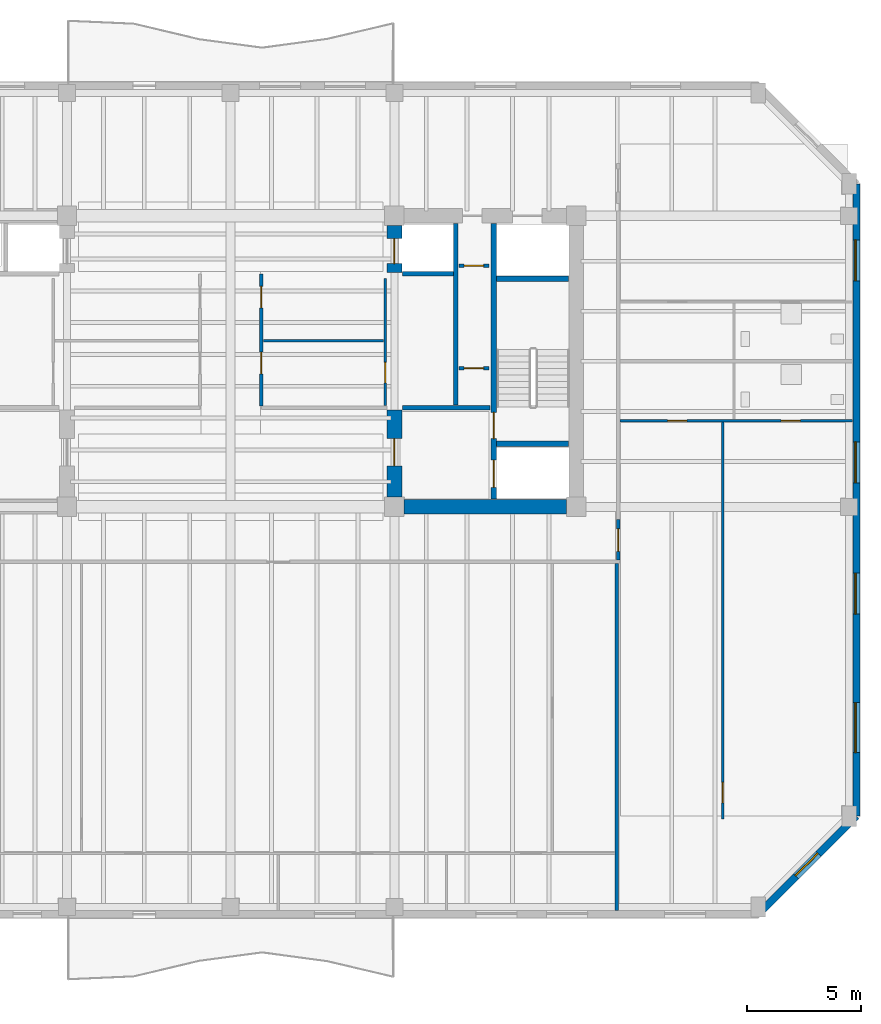
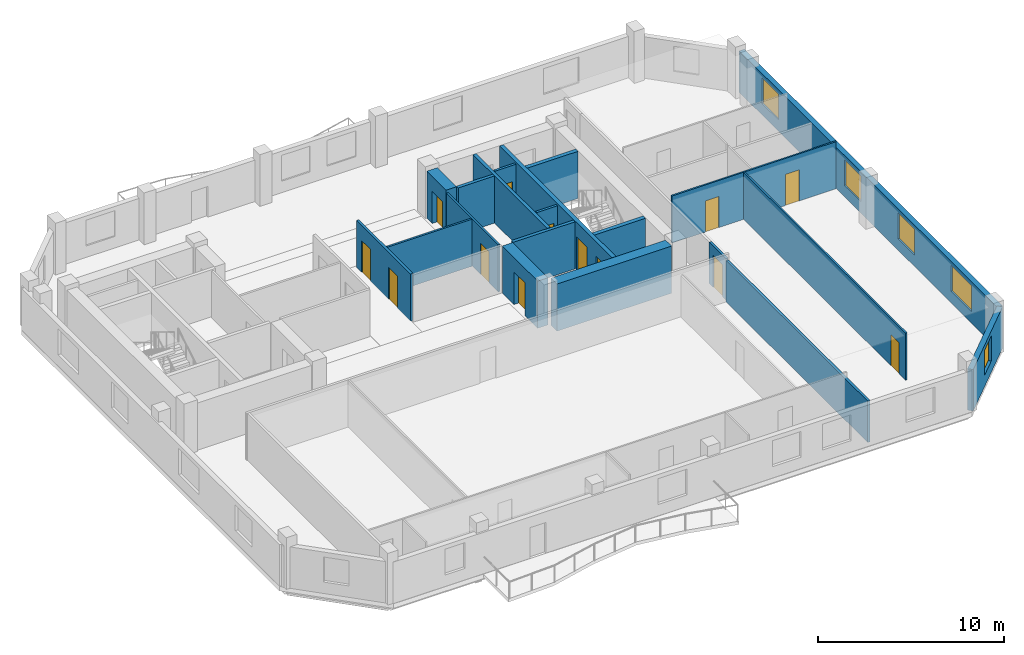
# One storey, part 4 of 9: 20 walls, 13 doors, 5 windows, 18 openings.
"""IFC4 building model written with IfcOpenShell, lengths in metres."""

from ifc_helpers import new_model, si_unit, direction, frame, frame_2d, origin, place, context, subcontext, project, spatial, rectangle, extrude, material, layer, layer_set, type_object, element, fill, save


model = new_model("IFC4")

# Units and contexts
model_context = context("Model", 3, precision=1e-05, world=origin(), true_north=direction((0.0, 1.0)))
body_context = subcontext(model_context, "Body", "Model", "MODEL_VIEW")
ifc_project = project(units=[si_unit("LENGTHUNIT", "METRE"), si_unit("AREAUNIT", "SQUARE_METRE"), si_unit("VOLUMEUNIT", "CUBIC_METRE"), si_unit("PLANEANGLEUNIT", "RADIAN"), si_unit("MASSUNIT", "GRAM", prefix="KILO")], contexts=[model_context])

# Site, building, storey
site_placement = place(None, origin())
site = spatial("IfcSite", under=ifc_project, at=site_placement, CompositionType="ELEMENT")
building_placement = place(site_placement, origin())
building = spatial("IfcBuilding", under=site, at=building_placement, Name="Kranthara Brick Stack", CompositionType="ELEMENT")
storey_placement = place(building_placement, frame((0.0, 0.0, 238.10009765625)))
storey = spatial("IfcBuildingStorey", under=building, at=storey_placement, Name="L62", CompositionType="ELEMENT", Elevation=238.10009765625)

# Wall, openings, windows
ifc_material_1 = material(Name="Warm buff clay brick masonry M15", Category="masonry")
ifc_layer_1 = layer(ifc_material_1, 0.320068359375)
ifc_layer_set_1 = layer_set([ifc_layer_1], Name="Warm buff clay brick masonry M15")
wall_type_1 = type_object("IfcWallType", Name="WL-BRK-UPPR-320", PredefinedType="STANDARD", material=ifc_layer_set_1)
wall_1_placement = place(storey_placement, frame((55.52001953125, 35.0, 0.0), z_axis=(0.0, 0.0, 1.0), x_axis=(0.0, -1.0, 0.0)))
wall_1 = element("IfcWall", 1, at=wall_1_placement, inside=storey, type_object=wall_type_1, Name="L62 Exterior Brick Facade Wall EAST 1", PredefinedType="STANDARD", context=body_context, shape_type="SweptSolid", body=[
    extrude(rectangle(XDim=27.800048828125, YDim=0.320068359375, at=frame_2d((13.89990234375, 0.0))), origin(), (0.0, 0.0, 1.0), 2.724853515625),
])
opening_1_placement = place(wall_1_placement, frame((2.4580078125, 0.0, 0.75)))
opening_1 = element("IfcOpeningElement", 2, at=opening_1_placement, cuts=wall_1, Name="Opening WN07", PredefinedType="OPENING", context=body_context, shape_type="SweptSolid", body=[
    extrude(rectangle(XDim=1.800048828125, YDim=1.699951171875, at=frame_2d((0.89990234375, 0.85009765625))), frame((0.0, 0.169921875, 0.0), z_axis=(0.0, -1.0, 0.0), x_axis=(1.0, 0.0, 0.0)), (0.0, 0.0, 1.0), 0.340087890625),
])
opening_2_placement = place(wall_1_placement, frame((11.342041015625, 0.0, 0.75)))
opening_2 = element("IfcOpeningElement", 3, at=opening_2_placement, cuts=wall_1, Name="Opening WN07", PredefinedType="OPENING", context=body_context, shape_type="SweptSolid", body=[
    extrude(rectangle(XDim=1.800048828125, YDim=1.699951171875, at=frame_2d((0.89990234375, 0.85009765625))), frame((0.0, 0.169921875, 0.0), z_axis=(0.0, -1.0, 0.0), x_axis=(1.0, 0.0, 0.0)), (0.0, 0.0, 1.0), 0.340087890625),
])
opening_3_placement = place(wall_1_placement, frame((17.116943359375, 0.0, 0.75)))
opening_3 = element("IfcOpeningElement", 4, at=opening_3_placement, cuts=wall_1, Name="Opening WN07", PredefinedType="OPENING", context=body_context, shape_type="SweptSolid", body=[
    extrude(rectangle(XDim=1.800048828125, YDim=1.699951171875, at=frame_2d((0.89990234375, 0.85009765625))), frame((0.0, 0.169921875, 0.0), z_axis=(0.0, -1.0, 0.0), x_axis=(1.0, 0.0, 0.0)), (0.0, 0.0, 1.0), 0.340087890625),
])
opening_4_placement = place(wall_1_placement, frame((22.80810546875, 0.0, 0.75)))
opening_4 = element("IfcOpeningElement", 5, at=opening_4_placement, cuts=wall_1, Name="Opening WN08", PredefinedType="OPENING", context=body_context, shape_type="SweptSolid", body=[
    extrude(rectangle(XDim=2.199951171875, YDim=1.699951171875, at=frame_2d((1.10009765625, 0.85009765625))), frame((0.0, 0.169921875, 0.0), z_axis=(0.0, -1.0, 0.0), x_axis=(1.0, 0.0, 0.0)), (0.0, 0.0, 1.0), 0.340087890625),
])
ifc_material_2 = material(Name="Double-glazed low-E solar control glass", Category="glass")
window_type_1 = type_object("IfcWindowType", Name="WN-RES-1800x1850", PartitioningType="DOUBLE_PANEL_VERTICAL", PredefinedType="WINDOW", material=ifc_material_2)
window_1_placement = place(opening_1_placement, origin())
window_1 = element("IfcWindow", 6, at=window_1_placement, inside=storey, type_object=window_type_1, Name="L62 East Deep-Set Brick Window 01", OverallHeight=1.699951171875, OverallWidth=1.800048828125, PartitioningType="SINGLE_PANEL", PredefinedType="WINDOW", context=body_context, shape_type="SweptSolid", body=[
    extrude(rectangle(XDim=1.800048828125, YDim=1.699951171875, at=frame_2d((0.89990234375, 0.85009765625))), frame((0.0, -0.010009765625, 0.0), z_axis=(0.0, -1.0, 0.0), x_axis=(1.0, 0.0, 0.0)), (0.0, 0.0, 1.0), 0.06005859375),
])
fill(opening_1, window_1)
window_2_placement = place(opening_2_placement, origin())
window_2 = element("IfcWindow", 7, at=window_2_placement, inside=storey, type_object=window_type_1, Name="L62 East Deep-Set Brick Window 02", OverallHeight=1.699951171875, OverallWidth=1.800048828125, PartitioningType="SINGLE_PANEL", PredefinedType="WINDOW", context=body_context, shape_type="SweptSolid", body=[
    extrude(rectangle(XDim=1.800048828125, YDim=1.699951171875, at=frame_2d((0.89990234375, 0.85009765625))), frame((0.0, -0.010009765625, 0.0), z_axis=(0.0, -1.0, 0.0), x_axis=(1.0, 0.0, 0.0)), (0.0, 0.0, 1.0), 0.06005859375),
])
fill(opening_2, window_2)
window_3_placement = place(opening_3_placement, origin())
window_3 = element("IfcWindow", 8, at=window_3_placement, inside=storey, type_object=window_type_1, Name="L62 East Deep-Set Brick Window 03", OverallHeight=1.699951171875, OverallWidth=1.800048828125, PartitioningType="SINGLE_PANEL", PredefinedType="WINDOW", context=body_context, shape_type="SweptSolid", body=[
    extrude(rectangle(XDim=1.800048828125, YDim=1.699951171875, at=frame_2d((0.89990234375, 0.85009765625))), frame((0.0, -0.010009765625, 0.0), z_axis=(0.0, -1.0, 0.0), x_axis=(1.0, 0.0, 0.0)), (0.0, 0.0, 1.0), 0.06005859375),
])
fill(opening_3, window_3)
ifc_material_3 = material(Name="Double-glazed low-E solar control glass", Category="glass")
window_type_2 = type_object("IfcWindowType", Name="WN-RES-2200x1850", PartitioningType="TRIPLE_PANEL_VERTICAL", PredefinedType="WINDOW", material=ifc_material_3)
window_4_placement = place(opening_4_placement, origin())
window_4 = element("IfcWindow", 9, at=window_4_placement, inside=storey, type_object=window_type_2, Name="L62 East Deep-Set Brick Window 04", OverallHeight=1.699951171875, OverallWidth=2.199951171875, PartitioningType="SINGLE_PANEL", PredefinedType="WINDOW", context=body_context, shape_type="SweptSolid", body=[
    extrude(rectangle(XDim=2.199951171875, YDim=1.699951171875, at=frame_2d((1.10009765625, 0.85009765625))), frame((0.0, -0.010009765625, 0.0), z_axis=(0.0, -1.0, 0.0), x_axis=(1.0, 0.0, 0.0)), (0.0, 0.0, 1.0), 0.06005859375),
])
fill(opening_4, window_4)

# Wall, opening, window
wall_2_placement = place(storey_placement, frame((55.52001953125, 7.199951171875, 0.0), z_axis=(0.0, 0.0, 1.0), x_axis=(-0.707106781187, -0.707106781187, 0.0)))
wall_2 = element("IfcWall", 10, at=wall_2_placement, inside=storey, type_object=wall_type_1, Name="L62 Exterior Brick Facade Wall SE 1", PredefinedType="STANDARD", context=body_context, shape_type="SweptSolid", body=[
    extrude(rectangle(XDim=6.109619140625, YDim=0.320068359375, at=frame_2d((3.0546875, 0.0))), origin(), (0.0, 0.0, 1.0), 2.724853515625),
])
opening_5_placement = place(wall_2_placement, frame((2.35498046875, 0.0, 0.75)))
opening_5 = element("IfcOpeningElement", 11, at=opening_5_placement, cuts=wall_2, Name="Opening WN10", PredefinedType="OPENING", context=body_context, shape_type="SweptSolid", body=[
    extrude(rectangle(XDim=1.39990234375, YDim=1.64990234375, at=frame_2d((0.699951171875, 0.824951171875))), frame((0.0, 0.169921875, 0.0), z_axis=(0.0, -1.0, 0.0), x_axis=(1.0, 0.0, 0.0)), (0.0, 0.0, 1.0), 0.340087890625),
])
ifc_material_4 = material(Name="Double-glazed low-E solar control glass", Category="glass")
window_type_3 = type_object("IfcWindowType", Name="WN-CHM-1400x1750", PartitioningType="SINGLE_PANEL", PredefinedType="WINDOW", material=ifc_material_4)
window_5_placement = place(opening_5_placement, origin())
window_5 = element("IfcWindow", 12, at=window_5_placement, inside=storey, type_object=window_type_3, Name="L62 SE Chamfer Corner Window", OverallHeight=1.64990234375, OverallWidth=1.39990234375, PartitioningType="SINGLE_PANEL", PredefinedType="WINDOW", context=body_context, shape_type="SweptSolid", body=[
    extrude(rectangle(XDim=1.39990234375, YDim=1.64990234375, at=frame_2d((0.699951171875, 0.824951171875))), frame((0.0, -0.010009765625, 0.0), z_axis=(0.0, -1.0, 0.0), x_axis=(1.0, 0.0, 0.0)), (0.0, 0.0, 1.0), 0.06005859375),
])
fill(opening_5, window_5)

# Wall, openings, doors
ifc_material_5 = material(Name="Concrete C50/60", Category="concrete")
ifc_layer_2 = layer(ifc_material_5, 0.25)
ifc_layer_set_2 = layer_set([ifc_layer_2], Name="Concrete C50/60")
wall_type_2 = type_object("IfcWallType", Name="WL-CORE-250", PredefinedType="SHEAR", material=ifc_layer_set_2)
wall_3_placement = place(storey_placement, frame((39.56494140625, 21.135009765625, 0.0), z_axis=(0.0, 0.0, 1.0), x_axis=(0.0, 1.0, 0.0)))
wall_3 = element("IfcWall", 13, at=wall_3_placement, inside=storey, type_object=wall_type_2, Name="L62 East Core Stair Bearing Spine Wall", PredefinedType="SHEAR", context=body_context, shape_type="SweptSolid", body=[
    extrude(rectangle(XDim=12.1298828125, YDim=0.25, at=frame_2d((6.06494140625, 0.0))), origin(), (0.0, 0.0, 1.0), 3.099853515625),
])
opening_6_placement = place(wall_3_placement, frame((0.514892578125, 0.0, 0.0)))
opening_6 = element("IfcOpeningElement", 14, at=opening_6_placement, cuts=wall_3, Name="Opening LD01", PredefinedType="OPENING", context=body_context, shape_type="SweptSolid", body=[
    extrude(rectangle(XDim=1.199951171875, YDim=2.14990234375, at=frame_2d((0.60009765625, 1.074951171875))), frame((0.0, 0.135009765625, 0.0), z_axis=(0.0, -1.0, 0.0), x_axis=(1.0, 0.0, 0.0)), (0.0, 0.0, 1.0), 0.27001953125),
])
opening_7_placement = place(wall_3_placement, frame((2.6650390625, 0.0, 0.0)))
opening_7 = element("IfcOpeningElement", 15, at=opening_7_placement, cuts=wall_3, Name="Opening D05", PredefinedType="OPENING", context=body_context, shape_type="SweptSolid", body=[
    extrude(rectangle(XDim=1.14990234375, YDim=2.14990234375, at=frame_2d((0.574951171875, 1.074951171875))), frame((0.0, 0.135009765625, 0.0), z_axis=(0.0, -1.0, 0.0), x_axis=(1.0, 0.0, 0.0)), (0.0, 0.0, 1.0), 0.27001953125),
])
ifc_material_6 = material(Name="Stainless steel sliding landing door", Category="steel")
door_type_1 = type_object("IfcDoorType", Name="DR-LD-FF1200", OperationType="DOUBLE_DOOR_SLIDING", PredefinedType="DOOR", material=ifc_material_6)
door_1_placement = place(opening_6_placement, origin())
door_1 = element("IfcDoor", 16, at=door_1_placement, inside=storey, type_object=door_type_1, Name="L62 Firefighting Lift FF-02 Landing Door", OperationType="DOUBLE_DOOR_SLIDING", OverallHeight=2.14990234375, OverallWidth=1.199951171875, PredefinedType="DOOR", context=body_context, shape_type="SweptSolid", body=[
    extrude(rectangle(XDim=1.199951171875, YDim=2.14990234375, at=frame_2d((0.60009765625, 1.074951171875))), frame((0.0, 0.02490234375, 0.0), z_axis=(0.0, -1.0, 0.0), x_axis=(1.0, 0.0, 0.0)), (0.0, 0.0, 1.0), 0.050048828125),
])
fill(opening_6, door_1)
ifc_material_7 = material(Name="Solid-core hardwood timber leaf in steel frame", Category="steel")
door_type_2 = type_object("IfcDoorType", Name="DR-ST-1150", OperationType="NOTDEFINED", PredefinedType="DOOR", material=ifc_material_7)
door_2_placement = place(opening_7_placement, origin())
door_2 = element("IfcDoor", 17, at=door_2_placement, inside=storey, type_object=door_type_2, Name="L62 Exit Stair ST02 Door", OperationType="SINGLE_SWING_LEFT", OverallHeight=2.14990234375, OverallWidth=1.14990234375, PredefinedType="DOOR", context=body_context, shape_type="SweptSolid", body=[
    extrude(rectangle(XDim=1.14990234375, YDim=2.14990234375, at=frame_2d((0.574951171875, 1.074951171875))), frame((0.0, 0.02490234375, 0.0), z_axis=(0.0, -1.0, 0.0), x_axis=(1.0, 0.0, 0.0)), (0.0, 0.0, 1.0), 0.050048828125),
])
fill(opening_7, door_2)

# Walls
for number, where, z_axis, x_axis, name in (
    (18, (39.68994140625, 23.570068359375, 0.0), (0.0, 0.0, 1.0), (1.0, 0.0, 0.0), "L62 East Stairwell Bearing Wall EFF"),
    (19, (39.68994140625, 30.830078125, 0.0), (0.0, 0.0, 1.0), (1.0, 0.0, 0.0), "L62 East Stairwell Bearing Wall EST"),
):
    element("IfcWall", number, at=place(storey_placement, frame(where, z_axis=z_axis, x_axis=x_axis)), inside=storey, type_object=wall_type_2, Name=name, PredefinedType="SHEAR", context=body_context, shape_type="SweptSolid", body=[
        extrude(rectangle(XDim=3.175048828125, YDim=0.25, at=frame_2d((1.58740234375, 0.0))), origin(), (0.0, 0.0, 1.0), 3.099853515625),
    ])
ifc_material_8 = material(Name="Concrete C60/75", Category="concrete")
ifc_layer_3 = layer(ifc_material_8, 0.64990234375)
ifc_layer_set_3 = layer_set([ifc_layer_3], Name="Concrete C60/75")
wall_type_3 = type_object("IfcWallType", Name="WL-CORE-650", PredefinedType="SHEAR", material=ifc_layer_set_3)
wall_4_placement = place(storey_placement, frame((35.6298828125, 20.800048828125, 0.0), z_axis=(0.0, 0.0, 1.0), x_axis=(1.0, 0.0, 0.0)))
element("IfcWall", 20, at=wall_4_placement, inside=storey, type_object=wall_type_3, Name="L62 East Core Shear Wall South", PredefinedType="SHEAR", context=body_context, shape_type="SweptSolid", body=[
    extrude(rectangle(XDim=7.14013671875, YDim=0.64990234375, at=frame_2d((3.570068359375, 0.0))), origin(), (0.0, 0.0, 1.0), 3.099853515625),
])

# Wall, opening, door
wall_5_placement = place(storey_placement, frame((35.199951171875, 21.22998046875, 0.0), z_axis=(0.0, 0.0, 1.0), x_axis=(0.0, 1.0, 0.0)))
wall_5 = element("IfcWall", 21, at=wall_5_placement, inside=storey, type_object=wall_type_3, Name="L62 East Core Lobby Shear Wall", PredefinedType="SHEAR", context=body_context, shape_type="SweptSolid", body=[
    extrude(rectangle(XDim=3.820068359375, YDim=0.64990234375, at=frame_2d((1.91015625, 0.0))), origin(), (0.0, 0.0, 1.0), 3.099853515625),
])
opening_8_placement = place(wall_5_placement, frame((1.3701171875, 0.0, 0.0)))
opening_8 = element("IfcOpeningElement", 22, at=opening_8_placement, cuts=wall_5, Name="Opening D06", PredefinedType="OPENING", context=body_context, shape_type="SweptSolid", body=[
    extrude(rectangle(XDim=1.199951171875, YDim=2.14990234375, at=frame_2d((0.60009765625, 1.074951171875))), frame((0.0, 0.3349609375, 0.0), z_axis=(0.0, -1.0, 0.0), x_axis=(1.0, 0.0, 0.0)), (0.0, 0.0, 1.0), 0.669921875),
])
ifc_material_9 = material(Name="Solid-core hardwood timber leaf in steel frame", Category="steel")
door_type_3 = type_object("IfcDoorType", Name="DR-FFL-1200", OperationType="NOTDEFINED", PredefinedType="DOOR", material=ifc_material_9)
door_3_placement = place(opening_8_placement, origin())
door_3 = element("IfcDoor", 23, at=door_3_placement, inside=storey, type_object=door_type_3, Name="L62 East Firefighting Lobby Door", OperationType="SINGLE_SWING_RIGHT", OverallHeight=2.14990234375, OverallWidth=1.199951171875, PredefinedType="DOOR", context=body_context, shape_type="SweptSolid", body=[
    extrude(rectangle(XDim=1.199951171875, YDim=2.14990234375, at=frame_2d((0.60009765625, 1.074951171875))), frame((0.0, 0.02490234375, 0.0), z_axis=(0.0, -1.0, 0.0), x_axis=(1.0, 0.0, 0.0)), (0.0, 0.0, 1.0), 0.050048828125),
])
fill(opening_8, door_3)

wall_6_placement = place(storey_placement, frame((35.199951171875, 31.10009765625, 0.0), z_axis=(0.0, 0.0, 1.0), x_axis=(0.0, 1.0, 0.0)))
wall_6 = element("IfcWall", 24, at=wall_6_placement, inside=storey, type_object=wall_type_3, Name="L62 East Core High-Rise Lift Wall", PredefinedType="SHEAR", context=body_context, shape_type="SweptSolid", body=[
    extrude(rectangle(XDim=2.06982421875, YDim=0.64990234375, at=frame_2d((1.034912109375, 0.0))), origin(), (0.0, 0.0, 1.0), 3.099853515625),
])
opening_9_placement = place(wall_6_placement, frame((0.39990234375, 0.0, 0.0)))
opening_9 = element("IfcOpeningElement", 25, at=opening_9_placement, cuts=wall_6, Name="Opening LD02", PredefinedType="OPENING", context=body_context, shape_type="SweptSolid", body=[
    extrude(rectangle(XDim=1.10009765625, YDim=2.10009765625, at=frame_2d((0.550048828125, 1.050048828125))), frame((0.0, 0.3349609375, 0.0), z_axis=(0.0, -1.0, 0.0), x_axis=(1.0, 0.0, 0.0)), (0.0, 0.0, 1.0), 0.669921875),
])
ifc_material_10 = material(Name="Stainless steel sliding landing door", Category="steel")
door_type_4 = type_object("IfcDoorType", Name="DR-LD-PL1100", OperationType="DOUBLE_DOOR_SLIDING", PredefinedType="DOOR", material=ifc_material_10)
door_4_placement = place(opening_9_placement, origin())
door_4 = element("IfcDoor", 26, at=door_4_placement, inside=storey, type_object=door_type_4, Name="L62 PL-08 Lift Landing Door", OperationType="DOUBLE_DOOR_SLIDING", OverallHeight=2.10009765625, OverallWidth=1.10009765625, PredefinedType="DOOR", context=body_context, shape_type="SweptSolid", body=[
    extrude(rectangle(XDim=1.10009765625, YDim=2.10009765625, at=frame_2d((0.550048828125, 1.050048828125))), frame((0.0, 0.02490234375, 0.0), z_axis=(0.0, -1.0, 0.0), x_axis=(1.0, 0.0, 0.0)), (0.0, 0.0, 1.0), 0.050048828125),
])
fill(opening_9, door_4)

# Wall, openings, doors
ifc_material_11 = material(Name="Moisture-resistant wet-room partition", Category="other")
ifc_layer_4 = layer(ifc_material_11, 0.10009765625)
ifc_layer_set_4 = layer_set([ifc_layer_4], Name="Moisture-resistant wet-room partition")
wall_type_4 = type_object("IfcWallType", Name="WL-PART-100", PredefinedType="PARTITIONING", material=ifc_layer_set_4)
wall_7_placement = place(storey_placement, frame((45.1298828125, 24.590087890625, 0.0), z_axis=(0.0, 0.0, 1.0), x_axis=(1.0, 0.0, 0.0)))
wall_7 = element("IfcWall", 27, at=wall_7_placement, inside=storey, type_object=wall_type_4, Name="L62 Interior Partition 027", PredefinedType="PARTITIONING", context=body_context, shape_type="SweptSolid", body=[
    extrude(rectangle(XDim=10.22509765625, YDim=0.10009765625, at=frame_2d((5.112548828125, 0.0))), origin(), (0.0, 0.0, 1.0), 3.099853515625),
])
opening_10_placement = place(wall_7_placement, frame((2.0830078125, 0.0, 0.0)))
opening_10 = element("IfcOpeningElement", 28, at=opening_10_placement, cuts=wall_7, Name="Opening D16", PredefinedType="OPENING", context=body_context, shape_type="SweptSolid", body=[
    extrude(rectangle(XDim=0.85009765625, YDim=2.050048828125, at=frame_2d((0.425048828125, 1.02490234375))), frame((0.0, 0.06005859375, 0.0), z_axis=(0.0, -1.0, 0.0), x_axis=(1.0, 0.0, 0.0)), (0.0, 0.0, 1.0), 0.1201171875),
])
opening_11_placement = place(wall_7_placement, frame((7.077880859375, 0.0, 0.0)))
opening_11 = element("IfcOpeningElement", 29, at=opening_11_placement, cuts=wall_7, Name="Opening D17", PredefinedType="OPENING", context=body_context, shape_type="SweptSolid", body=[
    extrude(rectangle(XDim=0.85009765625, YDim=2.050048828125, at=frame_2d((0.425048828125, 1.02490234375))), frame((0.0, 0.06005859375, 0.0), z_axis=(0.0, -1.0, 0.0), x_axis=(1.0, 0.0, 0.0)), (0.0, 0.0, 1.0), 0.1201171875),
])
ifc_material_12 = material(Name="Solid-core hardwood timber leaf in steel frame", Category="steel")
door_type_5 = type_object("IfcDoorType", Name="DR-INT-850", OperationType="NOTDEFINED", PredefinedType="DOOR", material=ifc_material_12)
door_5_placement = place(opening_10_placement, origin())
door_5 = element("IfcDoor", 30, at=door_5_placement, inside=storey, type_object=door_type_5, Name="L62 Unit L62B Kitchen 19", OperationType="SINGLE_SWING_LEFT", OverallHeight=2.050048828125, OverallWidth=0.85009765625, PredefinedType="DOOR", context=body_context, shape_type="SweptSolid", body=[
    extrude(rectangle(XDim=0.85009765625, YDim=2.050048828125, at=frame_2d((0.425048828125, 1.02490234375))), frame((0.0, 0.02490234375, 0.0), z_axis=(0.0, -1.0, 0.0), x_axis=(1.0, 0.0, 0.0)), (0.0, 0.0, 1.0), 0.050048828125),
])
fill(opening_10, door_5)
ifc_material_13 = material(Name="Solid-core hardwood timber leaf in steel frame", Category="steel")
door_type_6 = type_object("IfcDoorType", Name="DR-WET-850", OperationType="NOTDEFINED", PredefinedType="DOOR", material=ifc_material_13)
door_6_placement = place(opening_11_placement, origin())
door_6 = element("IfcDoor", 31, at=door_6_placement, inside=storey, type_object=door_type_6, Name="L62 Unit L62B Bathroom 20", OperationType="SINGLE_SWING_RIGHT", OverallHeight=2.050048828125, OverallWidth=0.85009765625, PredefinedType="DOOR", context=body_context, shape_type="SweptSolid", body=[
    extrude(rectangle(XDim=0.85009765625, YDim=2.050048828125, at=frame_2d((0.425048828125, 1.02490234375))), frame((0.0, 0.02490234375, 0.0), z_axis=(0.0, -1.0, 0.0), x_axis=(1.0, 0.0, 0.0)), (0.0, 0.0, 1.0), 0.050048828125),
])
fill(opening_11, door_6)

# Wall, opening, door
wall_8_placement = place(storey_placement, frame((49.64599609375, 7.080078125, 0.0), z_axis=(0.0, 0.0, 1.0), x_axis=(0.0, 1.0, 0.0)))
wall_8 = element("IfcWall", 32, at=wall_8_placement, inside=storey, type_object=wall_type_4, Name="L62 Interior Partition 028", PredefinedType="PARTITIONING", context=body_context, shape_type="SweptSolid", body=[
    extrude(rectangle(XDim=17.454833984375, YDim=0.10009765625, at=frame_2d((8.7275390625, 0.0))), origin(), (0.0, 0.0, 1.0), 3.099853515625),
])
opening_12_placement = place(wall_8_placement, frame((0.699951171875, 0.0, 0.0)))
opening_12 = element("IfcOpeningElement", 33, at=opening_12_placement, cuts=wall_8, Name="Opening D15", PredefinedType="OPENING", context=body_context, shape_type="SweptSolid", body=[
    extrude(rectangle(XDim=0.89990234375, YDim=2.050048828125, at=frame_2d((0.449951171875, 1.02490234375))), frame((0.0, 0.06005859375, 0.0), z_axis=(0.0, -1.0, 0.0), x_axis=(1.0, 0.0, 0.0)), (0.0, 0.0, 1.0), 0.1201171875),
])
ifc_material_14 = material(Name="Solid-core hardwood timber leaf in steel frame", Category="steel")
door_type_7 = type_object("IfcDoorType", Name="DR-INT-900", OperationType="NOTDEFINED", PredefinedType="DOOR", material=ifc_material_14)
door_7_placement = place(opening_12_placement, origin())
door_7 = element("IfcDoor", 34, at=door_7_placement, inside=storey, type_object=door_type_7, Name="L62 Unit L62B Study 18", OperationType="SINGLE_SWING_RIGHT", OverallHeight=2.050048828125, OverallWidth=0.89990234375, PredefinedType="DOOR", context=body_context, shape_type="SweptSolid", body=[
    extrude(rectangle(XDim=0.89990234375, YDim=2.050048828125, at=frame_2d((0.449951171875, 1.02490234375))), frame((0.0, 0.02490234375, 0.0), z_axis=(0.0, -1.0, 0.0), x_axis=(1.0, 0.0, 0.0)), (0.0, 0.0, 1.0), 0.050048828125),
])
fill(opening_12, door_7)

ifc_material_15 = material(Name="Acoustic gypsum plasterboard partition", Category="other")
ifc_layer_5 = layer(ifc_material_15, 0.1201171875)
ifc_layer_set_5 = layer_set([ifc_layer_5], Name="Acoustic gypsum plasterboard partition")
wall_type_5 = type_object("IfcWallType", Name="WL-PART-120", PredefinedType="PARTITIONING", material=ifc_layer_set_5)
wall_9_placement = place(storey_placement, frame((34.800048828125, 25.25, 0.0), z_axis=(0.0, 0.0, 1.0), x_axis=(0.0, 1.0, 0.0)))
wall_9 = element("IfcWall", 35, at=wall_9_placement, inside=storey, type_object=wall_type_5, Name="L62 Interior Partition 010", PredefinedType="PARTITIONING", context=body_context, shape_type="SweptSolid", body=[
    extrude(rectangle(XDim=5.60009765625, YDim=0.1201171875, at=frame_2d((2.800048828125, 0.0))), origin(), (0.0, 0.0, 1.0), 3.099853515625),
])
opening_13_placement = place(wall_9_placement, frame((1.0, 0.0, 0.0)))
opening_13 = element("IfcOpeningElement", 36, at=opening_13_placement, cuts=wall_9, Name="Opening D15", PredefinedType="OPENING", context=body_context, shape_type="SweptSolid", body=[
    extrude(rectangle(XDim=0.89990234375, YDim=2.050048828125, at=frame_2d((0.449951171875, 1.02490234375))), frame((0.0, 0.070068359375, 0.0), z_axis=(0.0, -1.0, 0.0), x_axis=(1.0, 0.0, 0.0)), (0.0, 0.0, 1.0), 0.14013671875),
])
door_8_placement = place(opening_13_placement, origin())
door_8 = element("IfcDoor", 37, at=door_8_placement, inside=storey, type_object=door_type_7, Name="L62 Yoga Studio Door 07", OperationType="SINGLE_SWING_LEFT", OverallHeight=2.050048828125, OverallWidth=0.89990234375, PredefinedType="DOOR", context=body_context, shape_type="SweptSolid", body=[
    extrude(rectangle(XDim=0.89990234375, YDim=2.050048828125, at=frame_2d((0.449951171875, 1.02490234375))), frame((0.0, 0.02490234375, 0.0), z_axis=(0.0, -1.0, 0.0), x_axis=(1.0, 0.0, 0.0)), (0.0, 0.0, 1.0), 0.050048828125),
])
fill(opening_13, door_8)

# Wall
wall_10_placement = place(storey_placement, frame((29.449951171875, 28.10009765625, 0.0), z_axis=(0.0, 0.0, 1.0), x_axis=(1.0, 0.0, 0.0)))
element("IfcWall", 38, at=wall_10_placement, inside=storey, type_object=wall_type_5, Name="L62 Interior Partition 011", PredefinedType="PARTITIONING", context=body_context, shape_type="SweptSolid", body=[
    extrude(rectangle(XDim=5.27001953125, YDim=0.1201171875, at=frame_2d((2.635009765625, 0.0))), origin(), (0.0, 0.0, 1.0), 3.099853515625),
])

# Wall, opening, door
ifc_material_16 = material(Name="Fire-rated gypsum board partition", Category="other")
ifc_layer_6 = layer(ifc_material_16, 0.14990234375)
ifc_layer_set_6 = layer_set([ifc_layer_6], Name="Fire-rated gypsum board partition")
wall_type_6 = type_object("IfcWallType", Name="WL-PART-150", PredefinedType="PARTITIONING", material=ifc_layer_set_6)
wall_11_placement = place(storey_placement, frame((38.050048828125, 26.89990234375, 0.0), z_axis=(0.0, 0.0, 1.0), x_axis=(1.0, 0.0, 0.0)))
wall_11 = element("IfcWall", 39, at=wall_11_placement, inside=storey, type_object=wall_type_6, Name="L62 Interior Partition 002", PredefinedType="PARTITIONING", context=body_context, shape_type="SweptSolid", body=[
    extrude(rectangle(XDim=1.300048828125, YDim=0.14990234375, at=frame_2d((0.64990234375, 0.0))), origin(), (0.0, 0.0, 1.0), 3.099853515625),
])
opening_14_placement = place(wall_11_placement, frame((0.219970703125, 0.0, 0.0)))
opening_14 = element("IfcOpeningElement", 40, at=opening_14_placement, cuts=wall_11, Name="Opening D10", PredefinedType="OPENING", context=body_context, shape_type="SweptSolid", body=[
    extrude(rectangle(XDim=0.85009765625, YDim=2.02001953125, at=frame_2d((0.425048828125, 1.010009765625))), frame((0.0, 0.0849609375, 0.0), z_axis=(0.0, -1.0, 0.0), x_axis=(1.0, 0.0, 0.0)), (0.0, 0.0, 1.0), 0.169921875),
])
ifc_material_17 = material(Name="Solid-core hardwood timber leaf in steel frame", Category="steel")
door_type_8 = type_object("IfcDoorType", Name="DR-RSR-850", OperationType="NOTDEFINED", PredefinedType="DOOR", material=ifc_material_17)
door_9_placement = place(opening_14_placement, origin())
door_9 = element("IfcDoor", 41, at=door_9_placement, inside=storey, type_object=door_type_8, Name="L62 East Valve Door 02", OperationType="SINGLE_SWING_RIGHT", OverallHeight=2.02001953125, OverallWidth=0.85009765625, PredefinedType="DOOR", context=body_context, shape_type="SweptSolid", body=[
    extrude(rectangle(XDim=0.85009765625, YDim=2.02001953125, at=frame_2d((0.425048828125, 1.010009765625))), frame((0.0, 0.02490234375, 0.0), z_axis=(0.0, -1.0, 0.0), x_axis=(1.0, 0.0, 0.0)), (0.0, 0.0, 1.0), 0.050048828125),
])
fill(opening_14, door_9)

wall_12_placement = place(storey_placement, frame((38.050048828125, 31.39990234375, 0.0), z_axis=(0.0, 0.0, 1.0), x_axis=(1.0, 0.0, 0.0)))
wall_12 = element("IfcWall", 42, at=wall_12_placement, inside=storey, type_object=wall_type_6, Name="L62 Interior Partition 003", PredefinedType="PARTITIONING", context=body_context, shape_type="SweptSolid", body=[
    extrude(rectangle(XDim=1.300048828125, YDim=0.14990234375, at=frame_2d((0.64990234375, 0.0))), origin(), (0.0, 0.0, 1.0), 3.099853515625),
])
opening_15_placement = place(wall_12_placement, frame((0.219970703125, 0.0, 0.0)))
opening_15 = element("IfcOpeningElement", 43, at=opening_15_placement, cuts=wall_12, Name="Opening D10", PredefinedType="OPENING", context=body_context, shape_type="SweptSolid", body=[
    extrude(rectangle(XDim=0.85009765625, YDim=2.02001953125, at=frame_2d((0.425048828125, 1.010009765625))), frame((0.0, 0.0849609375, 0.0), z_axis=(0.0, -1.0, 0.0), x_axis=(1.0, 0.0, 0.0)), (0.0, 0.0, 1.0), 0.169921875),
])
door_10_placement = place(opening_15_placement, origin())
door_10 = element("IfcDoor", 44, at=door_10_placement, inside=storey, type_object=door_type_8, Name="L62 East Switch Door 03", OperationType="SINGLE_SWING_LEFT", OverallHeight=2.02001953125, OverallWidth=0.85009765625, PredefinedType="DOOR", context=body_context, shape_type="SweptSolid", body=[
    extrude(rectangle(XDim=0.85009765625, YDim=2.02001953125, at=frame_2d((0.425048828125, 1.010009765625))), frame((0.0, 0.02490234375, 0.0), z_axis=(0.0, -1.0, 0.0), x_axis=(1.0, 0.0, 0.0)), (0.0, 0.0, 1.0), 0.050048828125),
])
fill(opening_15, door_10)

# Wall, openings, doors
wall_13_placement = place(storey_placement, frame((29.35009765625, 25.22998046875, 0.0), z_axis=(0.0, 0.0, 1.0), x_axis=(0.0, 1.0, 0.0)))
wall_13 = element("IfcWall", 45, at=wall_13_placement, inside=storey, type_object=wall_type_6, Name="L62 Interior Partition 009", PredefinedType="PARTITIONING", context=body_context, shape_type="SweptSolid", body=[
    extrude(rectangle(XDim=5.820068359375, YDim=0.14990234375, at=frame_2d((2.91015625, 0.0))), origin(), (0.0, 0.0, 1.0), 3.099853515625),
])
opening_16_placement = place(wall_13_placement, frame((1.419921875, 0.0, 0.0)))
opening_16 = element("IfcOpeningElement", 46, at=opening_16_placement, cuts=wall_13, Name="Opening D09", PredefinedType="OPENING", context=body_context, shape_type="SweptSolid", body=[
    extrude(rectangle(XDim=0.949951171875, YDim=2.10009765625, at=frame_2d((0.47509765625, 1.050048828125))), frame((0.0, 0.0849609375, 0.0), z_axis=(0.0, -1.0, 0.0), x_axis=(1.0, 0.0, 0.0)), (0.0, 0.0, 1.0), 0.169921875),
])
opening_17_placement = place(wall_13_placement, frame((4.320068359375, 0.0, 0.0)))
opening_17 = element("IfcOpeningElement", 47, at=opening_17_placement, cuts=wall_13, Name="Opening D09", PredefinedType="OPENING", context=body_context, shape_type="SweptSolid", body=[
    extrude(rectangle(XDim=0.949951171875, YDim=2.10009765625, at=frame_2d((0.47509765625, 1.050048828125))), frame((0.0, 0.0849609375, 0.0), z_axis=(0.0, -1.0, 0.0), x_axis=(1.0, 0.0, 0.0)), (0.0, 0.0, 1.0), 0.169921875),
])
ifc_material_18 = material(Name="Solid-core hardwood timber leaf in steel frame", Category="steel")
door_type_9 = type_object("IfcDoorType", Name="DR-FD-950", OperationType="NOTDEFINED", PredefinedType="DOOR", material=ifc_material_18)
door_11_placement = place(opening_16_placement, origin())
door_11 = element("IfcDoor", 48, at=door_11_placement, inside=storey, type_object=door_type_9, Name="L62 Drawing Salon 08", OperationType="SINGLE_SWING_RIGHT", OverallHeight=2.10009765625, OverallWidth=0.949951171875, PredefinedType="DOOR", context=body_context, shape_type="SweptSolid", body=[
    extrude(rectangle(XDim=0.949951171875, YDim=2.10009765625, at=frame_2d((0.47509765625, 1.050048828125))), frame((0.0, 0.02490234375, 0.0), z_axis=(0.0, -1.0, 0.0), x_axis=(1.0, 0.0, 0.0)), (0.0, 0.0, 1.0), 0.050048828125),
])
fill(opening_16, door_11)
door_12_placement = place(opening_17_placement, origin())
door_12 = element("IfcDoor", 49, at=door_12_placement, inside=storey, type_object=door_type_9, Name="L62 Board Games Room 09", OperationType="SINGLE_SWING_LEFT", OverallHeight=2.10009765625, OverallWidth=0.949951171875, PredefinedType="DOOR", context=body_context, shape_type="SweptSolid", body=[
    extrude(rectangle(XDim=0.949951171875, YDim=2.10009765625, at=frame_2d((0.47509765625, 1.050048828125))), frame((0.0, 0.02490234375, 0.0), z_axis=(0.0, -1.0, 0.0), x_axis=(1.0, 0.0, 0.0)), (0.0, 0.0, 1.0), 0.050048828125),
])
fill(opening_17, door_12)

# Wall
wall_14_placement = place(storey_placement, frame((44.97998046875, 3.044921875, 0.0), z_axis=(0.0, 0.0, 1.0), x_axis=(0.0, 1.0, 0.0)))
element("IfcWall", 50, at=wall_14_placement, inside=storey, type_object=wall_type_6, Name="L62 Interior Partition 020", PredefinedType="PARTITIONING", context=body_context, shape_type="SweptSolid", body=[
    extrude(rectangle(XDim=15.255126953125, YDim=0.14990234375, at=frame_2d((7.62744140625, 0.0))), origin(), (0.0, 0.0, 1.0), 2.724853515625),
])

# Wall, opening, door
wall_15_placement = place(storey_placement, frame((45.050048828125, 18.4599609375, 0.0), z_axis=(0.0, 0.0, 1.0), x_axis=(0.0, 1.0, 0.0)))
wall_15 = element("IfcWall", 51, at=wall_15_placement, inside=storey, type_object=wall_type_6, Name="L62 Interior Partition 022", PredefinedType="PARTITIONING", context=body_context, shape_type="SweptSolid", body=[
    extrude(rectangle(XDim=1.7900390625, YDim=0.14990234375, at=frame_2d((0.89501953125, 0.0))), origin(), (0.0, 0.0, 1.0), 2.724853515625),
])
opening_18_placement = place(wall_15_placement, frame((0.375, 0.0, 0.0)))
opening_18 = element("IfcOpeningElement", 52, at=opening_18_placement, cuts=wall_15, Name="Opening D08", PredefinedType="OPENING", context=body_context, shape_type="SweptSolid", body=[
    extrude(rectangle(XDim=1.0, YDim=2.10009765625, at=frame_2d((0.5, 1.050048828125))), frame((0.0, 0.0849609375, 0.0), z_axis=(0.0, -1.0, 0.0), x_axis=(1.0, 0.0, 0.0)), (0.0, 0.0, 1.0), 0.169921875),
])
ifc_material_19 = material(Name="Solid-core hardwood timber leaf in steel frame", Category="steel")
door_type_10 = type_object("IfcDoorType", Name="DR-FD-1000", OperationType="NOTDEFINED", PredefinedType="DOOR", material=ifc_material_19)
door_13_placement = place(opening_18_placement, origin())
door_13 = element("IfcDoor", 53, at=door_13_placement, inside=storey, type_object=door_type_10, Name="L62 Unit L62B Entrance 17", OperationType="SINGLE_SWING_LEFT", OverallHeight=2.10009765625, OverallWidth=1.0, PredefinedType="DOOR", context=body_context, shape_type="SweptSolid", body=[
    extrude(rectangle(XDim=1.0, YDim=2.10009765625, at=frame_2d((0.5, 1.050048828125))), frame((0.0, 0.02490234375, 0.0), z_axis=(0.0, -1.0, 0.0), x_axis=(1.0, 0.0, 0.0)), (0.0, 0.0, 1.0), 0.050048828125),
])
fill(opening_18, door_13)

# Walls
ifc_material_20 = material(Name="Concrete C40/50", Category="concrete")
ifc_layer_7 = layer(ifc_material_20, 0.199951171875)
ifc_layer_set_7 = layer_set([ifc_layer_7], Name="Concrete C40/50")
wall_type_7 = type_object("IfcWallType", Name="WL-PART-200", PredefinedType="SOLIDWALL", material=ifc_layer_set_7)
wall_16_placement = place(storey_placement, frame((35.550048828125, 25.14990234375, 0.0), z_axis=(0.0, 0.0, 1.0), x_axis=(1.0, 0.0, 0.0)))
element("IfcWall", 54, at=wall_16_placement, inside=storey, type_object=wall_type_7, Name="L62 East Core Cross Wall EFL", PredefinedType="SOLIDWALL", context=body_context, shape_type="SweptSolid", body=[
    extrude(rectangle(XDim=3.849853515625, YDim=0.199951171875, at=frame_2d((1.9248046875, 0.0))), origin(), (0.0, 0.0, 1.0), 3.099853515625),
])
wall_17_placement = place(storey_placement, frame((35.550048828125, 31.050048828125, 0.0), z_axis=(0.0, 0.0, 1.0), x_axis=(1.0, 0.0, 0.0)))
element("IfcWall", 55, at=wall_17_placement, inside=storey, type_object=wall_type_7, Name="L62 East Core Cross Wall EE4", PredefinedType="SOLIDWALL", context=body_context, shape_type="SweptSolid", body=[
    extrude(rectangle(XDim=2.25, YDim=0.199951171875, at=frame_2d((1.125, 0.0))), origin(), (0.0, 0.0, 1.0), 3.099853515625),
])
wall_18_placement = place(storey_placement, frame((37.89990234375, 25.27001953125, 0.0), z_axis=(0.0, 0.0, 1.0), x_axis=(0.0, 1.0, 0.0)))
element("IfcWall", 56, at=wall_18_placement, inside=storey, type_object=wall_type_7, Name="L62 East Core Cross Wall ESV", PredefinedType="SOLIDWALL", context=body_context, shape_type="SweptSolid", body=[
    extrude(rectangle(XDim=7.994873046875, YDim=0.199951171875, at=frame_2d((3.99755859375, 0.0))), origin(), (0.0, 0.0, 1.0), 3.099853515625),
])

save(model, "model.ifc")
